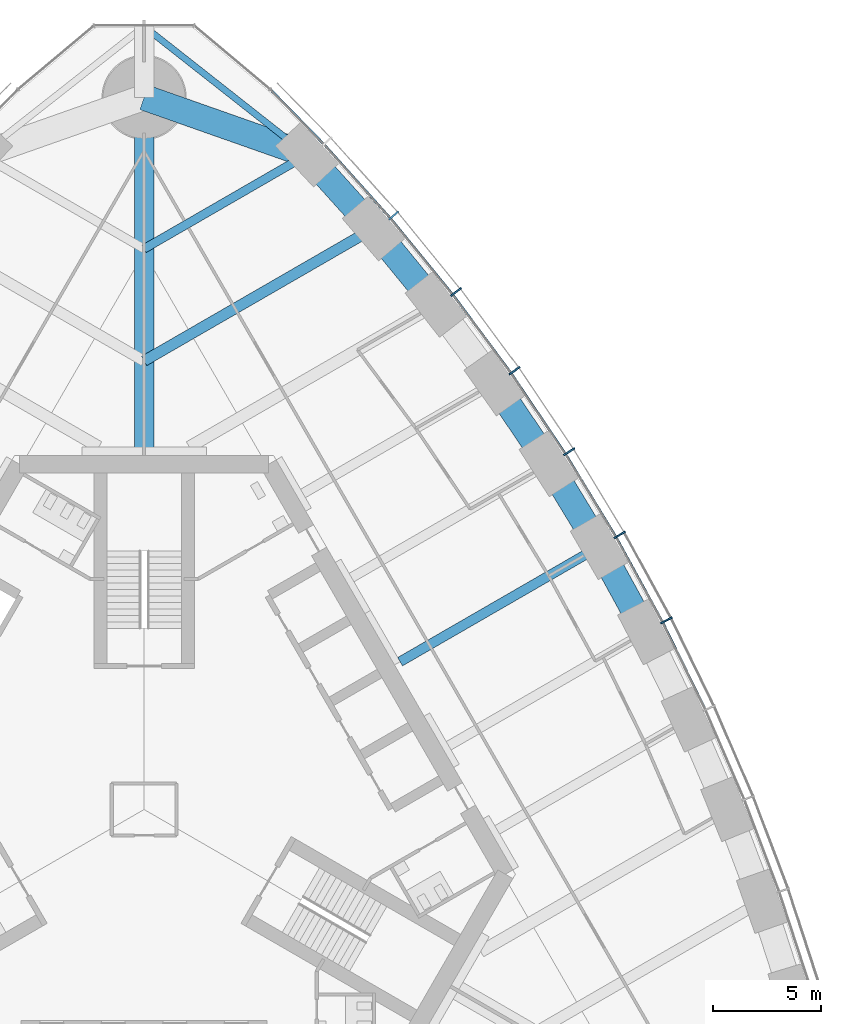
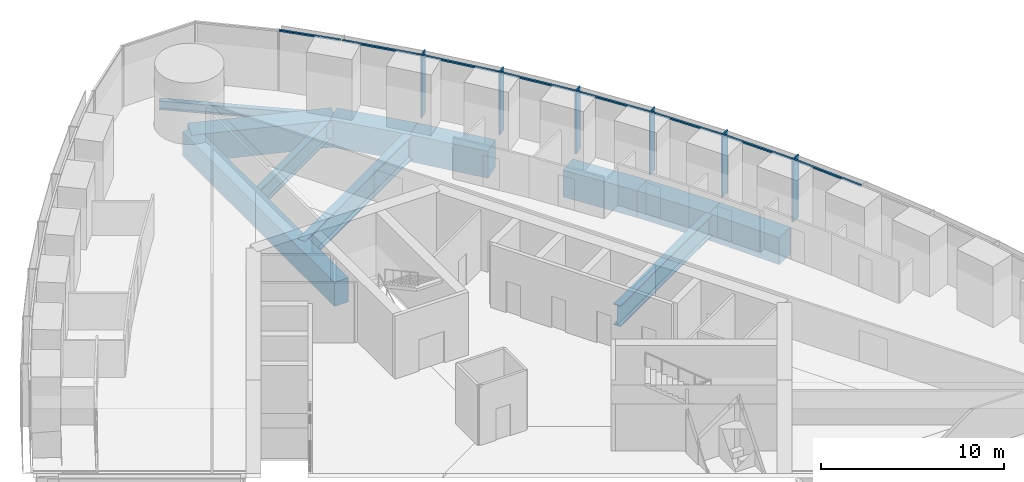
# One storey, part 7 of 19: 14 members, 11 beams, 1 element without a shape of its own.
"""IFC4 building model written with IfcOpenShell, lengths in metres."""

from ifc_helpers import new_model, si_unit, direction, frame, origin, origin_2d, place, context, subcontext, project, spatial, rectangle, i_section, extrude, material, material_profile, profile_set, type_object, element, aggregate, save


model = new_model("IFC4")

# Units and contexts
model_context = context("Model", 3, precision=1e-05, world=origin(), true_north=direction((0.0, 1.0)))
body_context = subcontext(model_context, "Body", "Model", "MODEL_VIEW")
ifc_project = project(units=[si_unit("LENGTHUNIT", "METRE"), si_unit("AREAUNIT", "SQUARE_METRE"), si_unit("VOLUMEUNIT", "CUBIC_METRE"), si_unit("PLANEANGLEUNIT", "RADIAN"), si_unit("MASSUNIT", "GRAM", prefix="KILO")], contexts=[model_context])

# Site, building, storey
site_placement = place(None, origin())
site = spatial("IfcSite", under=ifc_project, at=site_placement, CompositionType="ELEMENT")
building_placement = place(site_placement, origin())
building = spatial("IfcBuilding", under=site, at=building_placement, Name="Trefoil Bronze Tower", CompositionType="ELEMENT")
storey_placement = place(building_placement, frame((0.0, 0.0, 189.699951171875)))
storey = spatial("IfcBuildingStorey", under=building, at=storey_placement, Name="L43", CompositionType="ELEMENT", Elevation=189.699951171875)

# Curtain wall, members
ifc_material_1 = material(Name="Tinted solar-control glass", Category="glass")
curtain_wall_type = type_object("IfcCurtainWallType", Name="Bronze office curtain wall", PredefinedType="USERDEFINED", material=ifc_material_1)
curtain_wall_placement = place(storey_placement, origin())
curtain_wall = element("IfcCurtainWall", 1, at=curtain_wall_placement, inside=storey, type_object=curtain_wall_type, Name="CW-A L43 F2", ObjectType="CURTAIN WALL", PredefinedType="USERDEFINED")
ifc_material_2 = material(Name="Bronze-finish aluminium", Category="aluminium")
ifc_material_profile_1 = material_profile(ifc_material_2, rectangle(XDim=0.60009765625, YDim=0.080078125, at=origin_2d()), Name="CW-A mullion")
ifc_profile_set_1 = profile_set([ifc_material_profile_1], Name="Bronze-finish aluminium")
member_type_1 = type_object("IfcMemberType", Name="Bronze office curtain wall mullion", PredefinedType="MULLION", material=ifc_profile_set_1)
member_1_placement = place(storey_placement, frame((24.2080078125, 8.764404296875, 0.0), z_axis=(0.0, 0.0, 1.0), x_axis=(-0.888088206965, -0.459673075837, 0.0)))
member_1 = element("IfcMember", 2, at=member_1_placement, type_object=member_type_1, Name="CW-A L43 F2 mullion 6", PredefinedType="MULLION", context=body_context, shape_type="SweptSolid", body=[
    extrude(rectangle(XDim=0.60009765625, YDim=0.080078125, at=origin_2d()), origin(), (0.0, 0.0, 1.0), 4.179931640625),
])
member_2_placement = place(storey_placement, frame((22.041015625, 12.725341796875, 0.0), z_axis=(0.0, 0.0, 1.0), x_axis=(-0.866025403784, -0.5, 0.0)))
member_2 = element("IfcMember", 3, at=member_2_placement, type_object=member_type_1, Name="CW-A L43 F2 mullion 7", PredefinedType="MULLION", context=body_context, shape_type="SweptSolid", body=[
    extrude(rectangle(XDim=0.60009765625, YDim=0.080078125, at=origin_2d()), origin(), (0.0, 0.0, 1.0), 4.179931640625),
])
member_3_placement = place(storey_placement, frame((19.694091796875, 16.58251953125, 0.0), z_axis=(0.0, 0.0, 1.0), x_axis=(-0.842132664593, -0.539270410114, 0.0)))
member_3 = element("IfcMember", 4, at=member_3_placement, type_object=member_type_1, Name="CW-A L43 F2 mullion 8", PredefinedType="MULLION", context=body_context, shape_type="SweptSolid", body=[
    extrude(rectangle(XDim=0.60009765625, YDim=0.080078125, at=origin_2d()), origin(), (0.0, 0.0, 1.0), 4.179931640625),
])
member_4_placement = place(storey_placement, frame((17.167236328125, 20.335693359375, 0.0), z_axis=(0.0, 0.0, 1.0), x_axis=(-0.81640398396, -0.577481198806, 0.0)))
member_4 = element("IfcMember", 5, at=member_4_placement, type_object=member_type_1, Name="CW-A L43 F2 mullion 9", PredefinedType="MULLION", context=body_context, shape_type="SweptSolid", body=[
    extrude(rectangle(XDim=0.60009765625, YDim=0.080078125, at=origin_2d()), origin(), (0.0, 0.0, 1.0), 4.179931640625),
])
member_5_placement = place(storey_placement, frame((14.45849609375, 23.98388671875, 0.0), z_axis=(0.0, 0.0, 1.0), x_axis=(-0.788821461078, -0.614622406476, 0.0)))
member_5 = element("IfcMember", 6, at=member_5_placement, type_object=member_type_1, Name="CW-A L43 F2 mullion 10", PredefinedType="MULLION", context=body_context, shape_type="SweptSolid", body=[
    extrude(rectangle(XDim=0.60009765625, YDim=0.080078125, at=origin_2d()), origin(), (0.0, 0.0, 1.0), 4.179931640625),
])
member_6_placement = place(storey_placement, frame((11.564697265625, 27.525146484375, 0.0), z_axis=(0.0, 0.0, 1.0), x_axis=(-0.75935470958, -0.650676897576, 0.0)))
member_6 = element("IfcMember", 7, at=member_6_placement, type_object=member_type_1, Name="CW-A L43 F2 mullion 11", PredefinedType="MULLION", context=body_context, shape_type="SweptSolid", body=[
    extrude(rectangle(XDim=0.60009765625, YDim=0.080078125, at=origin_2d()), origin(), (0.0, 0.0, 1.0), 4.179931640625),
])
ifc_material_3 = material(Name="Bronze-finish aluminium", Category="aluminium")
ifc_material_profile_2 = material_profile(ifc_material_3, rectangle(XDim=0.1201171875, YDim=0.10009765625, at=origin_2d()), Name="CW-A transom")
ifc_profile_set_2 = profile_set([ifc_material_profile_2], Name="Bronze-finish aluminium")
member_type_2 = type_object("IfcMemberType", Name="Bronze office curtain wall transom", PredefinedType="USERDEFINED", material=ifc_profile_set_2)
member_7_placement = place(storey_placement, frame((25.99462890625, 4.65380859375, 4.130126953125), z_axis=(-0.439150835991, 0.898413347657, 0.0), x_axis=(-0.898413347657, -0.439150835991, 0.0)))
member_7 = element("IfcMember", 8, at=member_7_placement, type_object=member_type_2, Name="CW-A L43 F2 transom 5", ObjectType="TRANSOM", PredefinedType="USERDEFINED", context=body_context, shape_type="SweptSolid", body=[
    extrude(rectangle(XDim=0.1201171875, YDim=0.10009765625, at=origin_2d()), origin(), (0.0, 0.0, 1.0), 4.430908203125),
])
member_8_placement = place(storey_placement, frame((24.010009765625, 8.70947265625, 4.130126953125), z_axis=(-0.479973729071, 0.877282861683, 0.0), x_axis=(-0.877282861683, -0.479973729071, 0.0)))
member_8 = element("IfcMember", 9, at=member_8_placement, type_object=member_type_2, Name="CW-A L43 F2 transom 6", ObjectType="TRANSOM", PredefinedType="USERDEFINED", context=body_context, shape_type="SweptSolid", body=[
    extrude(rectangle(XDim=0.1201171875, YDim=0.10009765625, at=origin_2d()), origin(), (0.0, 0.0, 1.0), 4.421142578125),
])
member_9_placement = place(storey_placement, frame((21.845703125, 12.661376953125, 4.130126953125), z_axis=(-0.519740214649, 0.854324358354, 0.0), x_axis=(-0.854324358354, -0.519740214649, 0.0)))
member_9 = element("IfcMember", 10, at=member_9_placement, type_object=member_type_2, Name="CW-A L43 F2 transom 7", ObjectType="TRANSOM", PredefinedType="USERDEFINED", context=body_context, shape_type="SweptSolid", body=[
    extrude(rectangle(XDim=0.1201171875, YDim=0.10009765625, at=origin_2d()), origin(), (0.0, 0.0, 1.0), 4.421142578125),
])
member_10_placement = place(storey_placement, frame((19.502197265625, 16.509765625, 4.130126953125), z_axis=(-0.558509087547, 0.829498402125, 0.0), x_axis=(-0.829498402125, -0.558509087547, 0.0)))
member_10 = element("IfcMember", 11, at=member_10_placement, type_object=member_type_2, Name="CW-A L43 F2 transom 8", ObjectType="TRANSOM", PredefinedType="USERDEFINED", context=body_context, shape_type="SweptSolid", body=[
    extrude(rectangle(XDim=0.1201171875, YDim=0.10009765625, at=origin_2d()), origin(), (0.0, 0.0, 1.0), 4.4306640625),
])
member_11_placement = place(storey_placement, frame((16.978759765625, 20.254150390625, 4.130126953125), z_axis=(-0.59614822717, 0.802874393191, 0.0), x_axis=(-0.802874393191, -0.59614822717, 0.0)))
member_11 = element("IfcMember", 12, at=member_11_placement, type_object=member_type_2, Name="CW-A L43 F2 transom 9", ObjectType="TRANSOM", PredefinedType="USERDEFINED", context=body_context, shape_type="SweptSolid", body=[
    extrude(rectangle(XDim=0.1201171875, YDim=0.10009765625, at=origin_2d()), origin(), (0.0, 0.0, 1.0), 4.449951171875),
])
member_12_placement = place(storey_placement, frame((14.27392578125, 23.8935546875, 4.130126953125), z_axis=(-0.632756871921, 0.774350528531, 0.0), x_axis=(-0.774350528531, -0.632756871921, 0.0)))
member_12 = element("IfcMember", 13, at=member_12_placement, type_object=member_type_2, Name="CW-A L43 F2 transom 10", ObjectType="TRANSOM", PredefinedType="USERDEFINED", context=body_context, shape_type="SweptSolid", body=[
    extrude(rectangle(XDim=0.1201171875, YDim=0.10009765625, at=origin_2d()), origin(), (0.0, 0.0, 1.0), 4.4794921875),
])
member_13_placement = place(storey_placement, frame((11.384521484375, 27.426513671875, 4.130126953125), z_axis=(-0.66825109551, 0.743935799213, 0.0), x_axis=(-0.743935799213, -0.66825109551, 0.0)))
member_13 = element("IfcMember", 14, at=member_13_placement, type_object=member_type_2, Name="CW-A L43 F2 transom 11", ObjectType="TRANSOM", PredefinedType="USERDEFINED", context=body_context, shape_type="SweptSolid", body=[
    extrude(rectangle(XDim=0.1201171875, YDim=0.10009765625, at=origin_2d()), origin(), (0.0, 0.0, 1.0), 4.519287109375),
])
member_14_placement = place(storey_placement, frame((8.306884765625, 30.85009765625, 4.130126953125), z_axis=(-0.698646935368, 0.715466602785, 0.0), x_axis=(-0.715466602785, -0.698646935368, 0.0)))
member_14 = element("IfcMember", 15, at=member_14_placement, type_object=member_type_2, Name="CW-A L43 F2 transom 12", ObjectType="TRANSOM", PredefinedType="USERDEFINED", context=body_context, shape_type="SweptSolid", body=[
    extrude(rectangle(XDim=0.1201171875, YDim=0.10009765625, at=origin_2d()), origin(), (0.0, 0.0, 1.0), 3.483642578125),
])
aggregate(curtain_wall, [member_1, member_2, member_3, member_4, member_5, member_6, member_7, member_8, member_9, member_10, member_11, member_12, member_13, member_14])

# Beams
ifc_material_4 = material(Name="Steel C355", Category="steel")
ifc_material_profile_3 = material_profile(ifc_material_4, i_section(OverallWidth=0.300048828125, OverallDepth=0.60009765625, WebThickness=0.015380859375, FlangeThickness=0.030029296875, FilletRadius=0.027099609375, at=origin_2d()), Name="HEB 600")
ifc_profile_set_3 = profile_set([ifc_material_profile_3], Name="Steel C355")
beam_type_1 = type_object("IfcBeamType", Name="Corner edge beam HEB 600", PredefinedType="BEAM", material=ifc_profile_set_3)
beam_1_placement = place(storey_placement, frame((7.552001953125, 30.3408203125, -0.5), z_axis=(-0.785805912008, 0.618473175371, 0.0), x_axis=(-0.618473175371, -0.785805912008, 0.0)))
element("IfcBeam", 16, at=beam_1_placement, inside=storey, type_object=beam_type_1, Name="Corner edge beam F2A L43", PredefinedType="BEAM", context=body_context, shape_type="SweptSolid", body=[
    extrude(i_section(OverallWidth=0.300048828125, OverallDepth=0.60009765625, WebThickness=0.015380859375, FlangeThickness=0.030029296875, FilletRadius=0.027099609375, at=origin_2d()), origin(), (0.0, 0.0, 1.0), 9.610595703125),
])
ifc_material_5 = material(Name="Concrete B80", Category="concrete")
ifc_material_profile_4 = material_profile(ifc_material_5, rectangle(XDim=0.89990234375, YDim=1.60009765625, at=origin_2d()), Name="RC 900x1600")
ifc_profile_set_4 = profile_set([ifc_material_profile_4], Name="Concrete B80")
beam_type_2 = type_object("IfcBeamType", Name="Corner girder RC 900x1600", PredefinedType="BEAM", material=ifc_profile_set_4)
beam_2_placement = place(storey_placement, frame((0.0, 16.39990234375, -1.0), z_axis=(0.0, 1.0, 0.0), x_axis=(-1.0, 0.0, 0.0)))
element("IfcBeam", 17, at=beam_2_placement, inside=storey, type_object=beam_type_2, Name="Corner girder K2 L43", PredefinedType="BEAM", context=body_context, shape_type="SweptSolid", body=[
    extrude(rectangle(XDim=0.89990234375, YDim=1.60009765625, at=origin_2d()), origin(), (0.0, 0.0, 1.0), 16.60009765625),
])
ifc_material_6 = material(Name="Concrete B80", Category="concrete")
ifc_material_profile_5 = material_profile(ifc_material_6, rectangle(XDim=1.199951171875, YDim=1.800048828125, at=origin_2d()), Name="RC 1200x1800")
ifc_profile_set_5 = profile_set([ifc_material_profile_5], Name="Concrete B80")
beam_type_3 = type_object("IfcBeamType", Name="End spandrel beam RC 1200x1800", PredefinedType="SPANDREL", material=ifc_profile_set_5)
beam_3_placement = place(storey_placement, frame((7.552001953125, 30.3408203125, -1.099853515625), z_axis=(-0.943234397359, 0.332127794137, 0.0), x_axis=(-0.332127794137, -0.943234397359, 0.0)))
element("IfcBeam", 18, at=beam_3_placement, inside=storey, type_object=beam_type_3, Name="Spandrel F2.12 L43", PredefinedType="SPANDREL", context=body_context, shape_type="SweptSolid", body=[
    extrude(rectangle(XDim=1.199951171875, YDim=1.800048828125, at=origin_2d()), origin(), (0.0, 0.0, 1.0), 8.006591796875),
])
ifc_material_7 = material(Name="Steel C355", Category="steel")
ifc_material_profile_6 = material_profile(ifc_material_7, i_section(OverallWidth=0.39990234375, OverallDepth=1.199951171875, WebThickness=0.02001953125, FlangeThickness=0.0400390625, FilletRadius=0.010009765625, at=origin_2d()), Name="WPG 1200")
ifc_profile_set_6 = profile_set([ifc_material_profile_6], Name="Steel C355")
beam_type_4 = type_object("IfcBeamType", Name="Floor beam WPG 1200", PredefinedType="BEAM", material=ifc_profile_set_6)
beam_4_placement = place(storey_placement, frame((7.552001953125, 30.3408203125, -0.800048828125), z_axis=(-0.866027535932, -0.499996306993, 0.0), x_axis=(0.499996306993, -0.866027535932, 0.0)))
element("IfcBeam", 19, at=beam_4_placement, inside=storey, type_object=beam_type_4, Name="Floor beam F2/+5 L43", PredefinedType="BEAM", context=body_context, shape_type="SweptSolid", body=[
    extrude(i_section(OverallWidth=0.39990234375, OverallDepth=1.199951171875, WebThickness=0.02001953125, FlangeThickness=0.0400390625, FilletRadius=0.010009765625, at=origin_2d()), origin(), (0.0, 0.0, 1.0), 8.72021484375),
])
ifc_material_8 = material(Name="Steel C355", Category="steel")
ifc_material_profile_7 = material_profile(ifc_material_8, i_section(OverallWidth=0.449951171875, OverallDepth=1.39990234375, WebThickness=0.02294921875, FlangeThickness=0.044921875, FilletRadius=0.011962890625, at=origin_2d()), Name="WPG 1400")
ifc_profile_set_7 = profile_set([ifc_material_profile_7], Name="Steel C355")
beam_type_5 = type_object("IfcBeamType", Name="Floor beam WPG 1400", PredefinedType="BEAM", material=ifc_profile_set_7)
beam_5_placement = place(storey_placement, frame((21.08837890625, 12.17529296875, -0.89990234375), z_axis=(-0.866034044198, -0.499985034066, 0.0), x_axis=(0.499985034066, -0.866034044198, 0.0)))
element("IfcBeam", 20, at=beam_5_placement, inside=storey, type_object=beam_type_5, Name="Floor beam F2/+0 L43", PredefinedType="BEAM", context=body_context, shape_type="SweptSolid", body=[
    extrude(i_section(OverallWidth=0.449951171875, OverallDepth=1.39990234375, WebThickness=0.02294921875, FlangeThickness=0.044921875, FilletRadius=0.011962890625, at=origin_2d()), origin(), (0.0, 0.0, 1.0), 10.650634765625),
])
ifc_material_9 = material(Name="Steel C355", Category="steel")
ifc_material_profile_8 = material_profile(ifc_material_9, i_section(OverallWidth=0.5, OverallDepth=1.60009765625, WebThickness=0.02587890625, FlangeThickness=0.050048828125, FilletRadius=0.011962890625, at=origin_2d()), Name="WPG 1600")
ifc_profile_set_8 = profile_set([ifc_material_profile_8], Name="Steel C355")
beam_type_6 = type_object("IfcBeamType", Name="Floor beam WPG 1600", PredefinedType="BEAM", material=ifc_profile_set_8)
beam_6_placement = place(storey_placement, frame((10.632080078125, 26.923095703125, -1.0), z_axis=(-0.866025635187, -0.499999599199, 0.0), x_axis=(0.499999599199, -0.866025635187, 0.0)))
element("IfcBeam", 21, at=beam_6_placement, inside=storey, type_object=beam_type_6, Name="Floor beam F2/+4 L43", PredefinedType="BEAM", context=body_context, shape_type="SweptSolid", body=[
    extrude(i_section(OverallWidth=0.5, OverallDepth=1.60009765625, WebThickness=0.02587890625, FlangeThickness=0.050048828125, FilletRadius=0.011962890625, at=origin_2d()), origin(), (0.0, 0.0, 1.0), 12.27685546875),
])
ifc_material_10 = material(Name="Concrete B80", Category="concrete")
ifc_material_profile_9 = material_profile(ifc_material_10, rectangle(XDim=1.199951171875, YDim=1.800048828125, at=origin_2d()), Name="RC 1200x1800")
ifc_profile_set_9 = profile_set([ifc_material_profile_9], Name="Concrete B80")
beam_type_7 = type_object("IfcBeamType", Name="Spandrel beam RC 1200x1800", PredefinedType="SPANDREL", material=ifc_profile_set_9)
for number, where, z_axis, x_axis, name in (
    (22, (23.248046875, 8.22607421875, -1.099853515625), (-0.479801903802, 0.87737684783, 0.0), (-0.87737684783, -0.479801903802, 0.0), "Spandrel F2.6 L43"),
    (23, (21.08837890625, 12.17529296875, -1.099853515625), (-0.519933181394, 0.854206934464, 0.0), (-0.854206934464, -0.519933181394, 0.0), "Spandrel F2.7 L43"),
):
    element("IfcBeam", number, at=place(storey_placement, frame(where, z_axis=z_axis, x_axis=x_axis)), inside=storey, type_object=beam_type_7, Name=name, PredefinedType="SPANDREL", context=body_context, shape_type="SweptSolid", body=[
        extrude(rectangle(XDim=1.199951171875, YDim=1.800048828125, at=origin_2d()), origin(), (0.0, 0.0, 1.0), 4.501220703125),
    ])
beam_7_placement = place(storey_placement, frame((18.748046875, 16.020263671875, -1.099853515625), z_axis=(-0.558964302753, 0.829191719838, 0.0), x_axis=(-0.829191719838, -0.558964302753, 0.0)))
element("IfcBeam", 24, at=beam_7_placement, inside=storey, type_object=beam_type_7, Name="Spandrel F2.8 L43", PredefinedType="SPANDREL", context=body_context, shape_type="SweptSolid", body=[
    extrude(rectangle(XDim=1.199951171875, YDim=1.800048828125, at=origin_2d()), origin(), (0.0, 0.0, 1.0), 4.510986328125),
])
beam_8_placement = place(storey_placement, frame((13.522216796875, 23.3955078125, -1.099853515625), z_axis=(-0.633753657863, 0.773534938542, 0.0), x_axis=(-0.773534938542, -0.633753657863, 0.0)))
element("IfcBeam", 25, at=beam_8_placement, inside=storey, type_object=beam_type_7, Name="Spandrel F2.10 L43", PredefinedType="SPANDREL", context=body_context, shape_type="SweptSolid", body=[
    extrude(rectangle(XDim=1.199951171875, YDim=1.800048828125, at=origin_2d()), origin(), (0.0, 0.0, 1.0), 4.560302734375),
])
beam_9_placement = place(storey_placement, frame((10.632080078125, 26.923095703125, -1.099853515625), z_axis=(-0.669460045872, 0.742848064534, 0.0), x_axis=(-0.742848064534, -0.669460045872, 0.0)))
element("IfcBeam", 26, at=beam_9_placement, inside=storey, type_object=beam_type_7, Name="Spandrel F2.11 L43", PredefinedType="SPANDREL", context=body_context, shape_type="SweptSolid", body=[
    extrude(rectangle(XDim=1.199951171875, YDim=1.800048828125, at=origin_2d()), origin(), (0.0, 0.0, 1.0), 4.600830078125),
])

save(model, "model.ifc")
